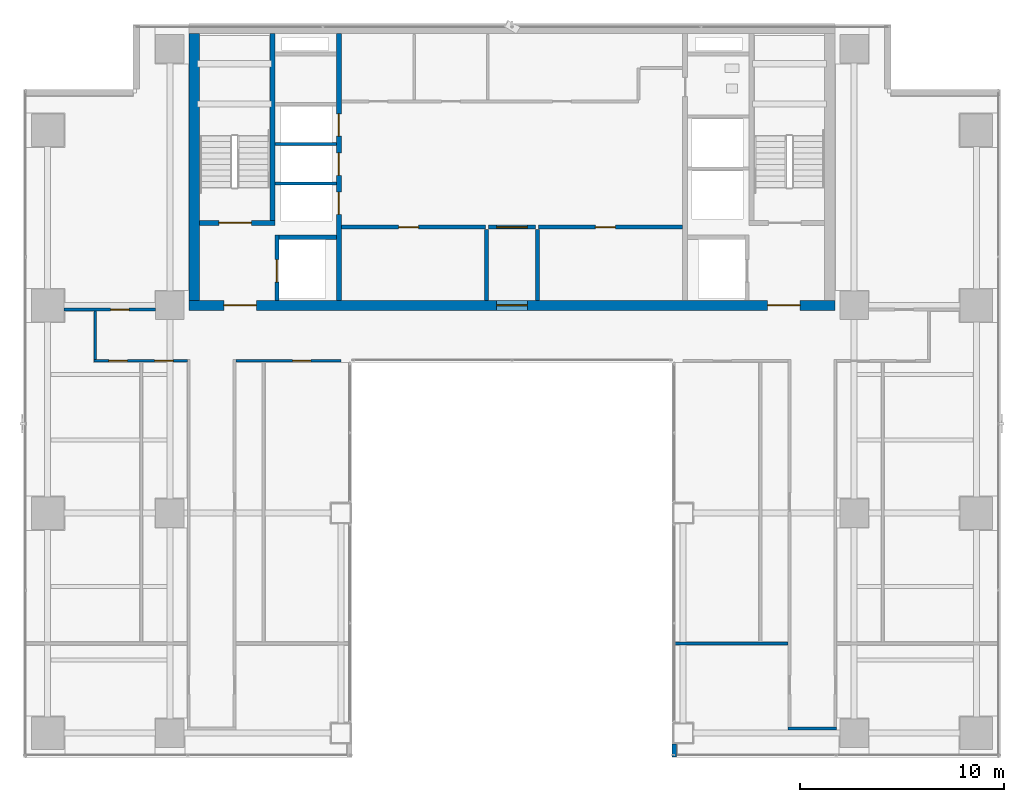
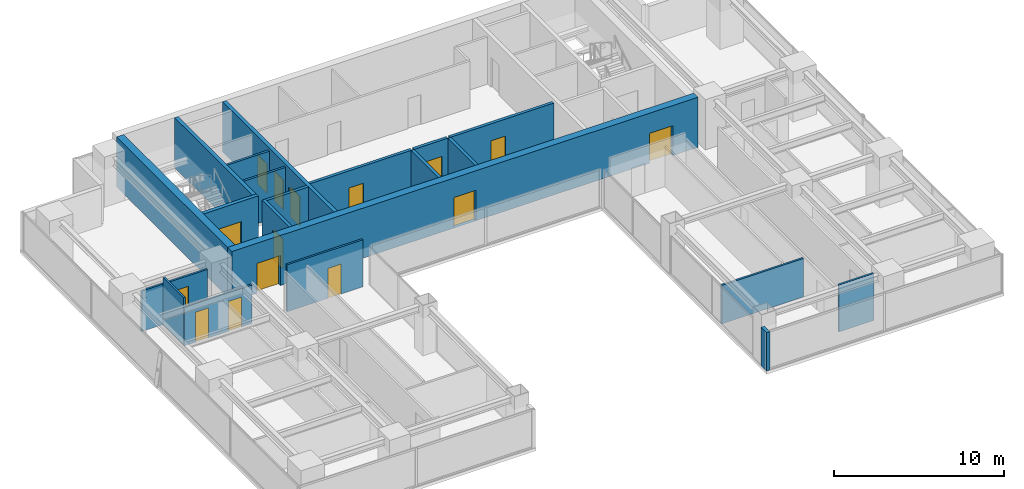
# One storey, part 24 of 29: 21 walls, 15 doors, 15 openings.
"""IFC4 building model written with IfcOpenShell, lengths in metres."""

from ifc_helpers import new_model, si_unit, direction, frame, frame_2d, origin, place, context, subcontext, project, spatial, rectangle, extrude, source, transform, mapped, material, layer, layer_set, type_object, element, fill, save


model = new_model("IFC4")

# Units and contexts
model_context = context("Model", 3, precision=1e-05, world=origin(), true_north=direction((0.0, 1.0)))
body_context = subcontext(model_context, "Body", "Model", "MODEL_VIEW")
ifc_project = project(units=[si_unit("LENGTHUNIT", "METRE"), si_unit("AREAUNIT", "SQUARE_METRE"), si_unit("VOLUMEUNIT", "CUBIC_METRE"), si_unit("PLANEANGLEUNIT", "RADIAN"), si_unit("MASSUNIT", "GRAM", prefix="KILO")], contexts=[model_context])

# Site, building, storey
site_placement = place(None, origin())
site = spatial("IfcSite", under=ifc_project, at=site_placement, CompositionType="ELEMENT")
building_placement = place(site_placement, origin())
building = spatial("IfcBuilding", under=site, at=building_placement, Name="Sumidabori Civic Tower", CompositionType="ELEMENT")
storey_placement = place(building_placement, frame((0.0, 0.0, 203.60009765625)))
storey = spatial("IfcBuildingStorey", under=building, at=storey_placement, Name="L52", CompositionType="ELEMENT", Elevation=203.60009765625)

# Wall
ifc_material_1 = material(Name="Concrete C50/60", Category="concrete")
ifc_layer_1 = layer(ifc_material_1, 0.199951171875, Name="Concrete C50/60")
ifc_layer_set_1 = layer_set([ifc_layer_1], Name="Concrete C50/60")
wall_type_1 = type_object("IfcWallType", Name="WL-SHAFT-200", PredefinedType="SHEAR", material=ifc_layer_set_1)
shared_shape_1 = source(origin(), body_context, "Body", "SweptSolid", [
    extrude(rectangle(XDim=2.824951171875, YDim=0.199951171875, at=frame_2d((1.41259765625, 0.0))), origin(), (0.0, 0.0, 1.0), 3.599853515625),
])
wall_1_placement = place(storey_placement, frame((-11.449951171875, 13.550048828125, 0.0), z_axis=(0.0, 0.0, 1.0), x_axis=(1.0, 0.0, 0.0)))
element("IfcWall", 1, at=wall_1_placement, inside=storey, type_object=wall_type_1, Name="Core Shear Wall L52 EL1-N", PredefinedType="SHEAR", context=body_context, shape_type="MappedRepresentation", body=[
    mapped(shared_shape_1, transform((0.0, 0.0, 0.0), x_axis=(1.0, 0.0, 0.0), y_axis=(0.0, 1.0, 0.0), z_axis=(0.0, 0.0, 1.0), scale=1.0)),
])

# Wall, openings, doors
ifc_layer_2 = layer(ifc_material_1, 0.5, Name="Concrete C50/60")
ifc_layer_set_2 = layer_set([ifc_layer_2], Name="Concrete C50/60")
wall_type_2 = type_object("IfcWallType", Name="WL-CORE-500", PredefinedType="SHEAR", material=ifc_layer_set_2)
shared_shape_2 = source(origin(), body_context, "Body", "SweptSolid", [
    extrude(rectangle(XDim=31.7001953125, YDim=0.5, at=frame_2d((15.85009765625, 0.0))), origin(), (0.0, 0.0, 1.0), 3.599853515625),
])
wall_2_placement = place(storey_placement, frame((-15.85009765625, 10.199951171875, 0.0), z_axis=(0.0, 0.0, 1.0), x_axis=(1.0, 0.0, 0.0)))
wall_2 = element("IfcWall", 2, at=wall_2_placement, inside=storey, type_object=wall_type_2, Name="Core Shear Wall L52 S", PredefinedType="SHEAR", context=body_context, shape_type="MappedRepresentation", body=[
    mapped(shared_shape_2, transform((0.0, 0.0, 0.0), x_axis=(1.0, 0.0, 0.0), y_axis=(0.0, 1.0, 0.0), z_axis=(0.0, 0.0, 1.0), scale=1.0)),
])
opening_1_placement = place(wall_2_placement, frame((1.699951171875, 0.0, 0.0)))
opening_1 = element("IfcOpeningElement", 3, at=opening_1_placement, cuts=wall_2, Name="Opening DR-FD4", PredefinedType="OPENING", context=body_context, shape_type="SweptSolid", body=[
    extrude(rectangle(XDim=1.60009765625, YDim=2.14990234375, at=frame_2d((0.800048828125, 1.074951171875))), frame((0.0, 0.261962890625, 0.0), z_axis=(0.0, -1.0, 0.0), x_axis=(1.0, 0.0, 0.0)), (0.0, 0.0, 1.0), 0.52392578125),
])
opening_2_placement = place(wall_2_placement, frame((28.39990234375, 0.0, 0.0)))
opening_2 = element("IfcOpeningElement", 4, at=opening_2_placement, cuts=wall_2, Name="Opening DR-FD4", PredefinedType="OPENING", context=body_context, shape_type="SweptSolid", body=[
    extrude(rectangle(XDim=1.60009765625, YDim=2.14990234375, at=frame_2d((0.800048828125, 1.074951171875))), frame((0.0, 0.261962890625, 0.0), z_axis=(0.0, -1.0, 0.0), x_axis=(1.0, 0.0, 0.0)), (0.0, 0.0, 1.0), 0.52392578125),
])
opening_3_placement = place(wall_2_placement, frame((15.10009765625, 0.0, 0.0)))
opening_3 = element("IfcOpeningElement", 5, at=opening_3_placement, cuts=wall_2, Name="Opening DR-FD3", PredefinedType="OPENING", context=body_context, shape_type="SweptSolid", body=[
    extrude(rectangle(XDim=1.5, YDim=2.199951171875, at=frame_2d((0.75, 1.10009765625))), frame((0.0, 0.261962890625, 0.0), z_axis=(0.0, -1.0, 0.0), x_axis=(1.0, 0.0, 0.0)), (0.0, 0.0, 1.0), 0.52392578125),
])
ifc_material_2 = material(Name="Steel SN490", Category="steel")
door_type_1 = type_object("IfcDoorType", Name="DR-FD4", OperationType="DOUBLE_DOOR_SINGLE_SWING", PredefinedType="DOOR", material=ifc_material_2)
shared_shape_3 = source(origin(), body_context, "Body", "SweptSolid", [
    extrude(rectangle(XDim=1.60009765625, YDim=2.14990234375, at=frame_2d((0.800048828125, 1.074951171875))), frame((0.0, 0.02490234375, 0.0), z_axis=(0.0, -1.0, 0.0), x_axis=(1.0, 0.0, 0.0)), (0.0, 0.0, 1.0), 0.050048828125),
])
door_1_placement = place(opening_1_placement, origin())
door_1 = element("IfcDoor", 6, at=door_1_placement, inside=storey, type_object=door_type_1, Name="Door DR:L52:ELOB-W", OperationType="DOUBLE_DOOR_SINGLE_SWING", OverallHeight=2.14990234375, OverallWidth=1.60009765625, PredefinedType="DOOR", context=body_context, shape_type="MappedRepresentation", body=[
    mapped(shared_shape_3, transform((0.0, 0.0, 0.0), x_axis=(1.0, 0.0, 0.0), y_axis=(0.0, 1.0, 0.0), z_axis=(0.0, 0.0, 1.0), scale=1.0)),
])
fill(opening_1, door_1)
door_2_placement = place(opening_2_placement, origin())
door_2 = element("IfcDoor", 7, at=door_2_placement, inside=storey, type_object=door_type_1, Name="Door DR:L52:ELOB-E", OperationType="DOUBLE_DOOR_SINGLE_SWING", OverallHeight=2.14990234375, OverallWidth=1.60009765625, PredefinedType="DOOR", context=body_context, shape_type="MappedRepresentation", body=[
    mapped(shared_shape_3, transform((0.0, 0.0, 0.0), x_axis=(1.0, 0.0, 0.0), y_axis=(0.0, 1.0, 0.0), z_axis=(0.0, 0.0, 1.0), scale=1.0)),
])
fill(opening_2, door_2)
door_type_2 = type_object("IfcDoorType", Name="DR-FD-DBL", OperationType="DOUBLE_DOOR_SINGLE_SWING", PredefinedType="DOOR", material=ifc_material_2)
shared_shape_4 = source(origin(), body_context, "Body", "SweptSolid", [
    extrude(rectangle(XDim=1.5, YDim=2.199951171875, at=frame_2d((0.75, 1.10009765625))), frame((0.0, 0.02490234375, 0.0), z_axis=(0.0, -1.0, 0.0), x_axis=(1.0, 0.0, 0.0)), (0.0, 0.0, 1.0), 0.050048828125),
])
door_3_placement = place(opening_3_placement, origin())
door_3 = element("IfcDoor", 8, at=door_3_placement, inside=storey, type_object=door_type_2, Name="Door DR:L52:THROAT-OUT", OperationType="DOUBLE_DOOR_SINGLE_SWING", OverallHeight=2.199951171875, OverallWidth=1.5, PredefinedType="DOOR", context=body_context, shape_type="MappedRepresentation", body=[
    mapped(shared_shape_4, transform((0.0, 0.0, 0.0), x_axis=(1.0, 0.0, 0.0), y_axis=(0.0, 1.0, 0.0), z_axis=(0.0, 0.0, 1.0), scale=1.0)),
])
fill(opening_3, door_3)

# Wall
shared_shape_5 = source(origin(), body_context, "Body", "SweptSolid", [
    extrude(rectangle(XDim=13.10009765625, YDim=0.5, at=frame_2d((6.550048828125, 0.0))), origin(), (0.0, 0.0, 1.0), 3.599853515625),
])
wall_3_placement = place(storey_placement, frame((-15.60009765625, 10.449951171875, 0.0), z_axis=(0.0, 0.0, 1.0), x_axis=(0.0, 1.0, 0.0)))
element("IfcWall", 9, at=wall_3_placement, inside=storey, type_object=wall_type_2, Name="Core Shear Wall L52 W", PredefinedType="SHEAR", context=body_context, shape_type="MappedRepresentation", body=[
    mapped(shared_shape_5, transform((0.0, 0.0, 0.0), x_axis=(1.0, 0.0, 0.0), y_axis=(0.0, 1.0, 0.0), z_axis=(0.0, 0.0, 1.0), scale=1.0)),
])

# Wall, openings, doors
ifc_layer_3 = layer(ifc_material_1, 0.25, Name="Concrete C50/60")
ifc_layer_set_3 = layer_set([ifc_layer_3], Name="Concrete C50/60")
wall_type_3 = type_object("IfcWallType", Name="WL-SHAFT-250", PredefinedType="SHEAR", material=ifc_layer_set_3)
shared_shape_6 = source(origin(), body_context, "Body", "SweptSolid", [
    extrude(rectangle(XDim=13.10009765625, YDim=0.25, at=frame_2d((6.550048828125, 0.0))), origin(), (0.0, 0.0, 1.0), 3.599853515625),
])
wall_4_placement = place(storey_placement, frame((-8.5, 10.449951171875, 0.0), z_axis=(0.0, 0.0, 1.0), x_axis=(0.0, 1.0, 0.0)))
wall_4 = element("IfcWall", 10, at=wall_4_placement, inside=storey, type_object=wall_type_3, Name="Core Shear Wall L52 WEB-W", PredefinedType="SHEAR", context=body_context, shape_type="MappedRepresentation", body=[
    mapped(shared_shape_6, transform((0.0, 0.0, 0.0), x_axis=(1.0, 0.0, 0.0), y_axis=(0.0, 1.0, 0.0), z_axis=(0.0, 0.0, 1.0), scale=1.0)),
])
opening_4_placement = place(wall_4_placement, frame((4.219970703125, 0.0, 0.0)))
opening_4 = element("IfcOpeningElement", 11, at=opening_4_placement, cuts=wall_4, Name="Opening LD-1", PredefinedType="OPENING", context=body_context, shape_type="SweptSolid", body=[
    extrude(rectangle(XDim=1.10009765625, YDim=2.14990234375, at=frame_2d((0.550048828125, 1.074951171875))), frame((0.0, 0.136962890625, 0.0), z_axis=(0.0, -1.0, 0.0), x_axis=(1.0, 0.0, 0.0)), (0.0, 0.0, 1.0), 0.27392578125),
])
opening_5_placement = place(wall_4_placement, frame((6.139892578125, 0.0, 0.0)))
opening_5 = element("IfcOpeningElement", 12, at=opening_5_placement, cuts=wall_4, Name="Opening LD-1", PredefinedType="OPENING", context=body_context, shape_type="SweptSolid", body=[
    extrude(rectangle(XDim=1.10009765625, YDim=2.14990234375, at=frame_2d((0.550048828125, 1.074951171875))), frame((0.0, 0.136962890625, 0.0), z_axis=(0.0, -1.0, 0.0), x_axis=(1.0, 0.0, 0.0)), (0.0, 0.0, 1.0), 0.27392578125),
])
opening_6_placement = place(wall_4_placement, frame((8.06005859375, 0.0, 0.0)))
opening_6 = element("IfcOpeningElement", 13, at=opening_6_placement, cuts=wall_4, Name="Opening LD-1", PredefinedType="OPENING", context=body_context, shape_type="SweptSolid", body=[
    extrude(rectangle(XDim=1.10009765625, YDim=2.14990234375, at=frame_2d((0.550048828125, 1.074951171875))), frame((0.0, 0.136962890625, 0.0), z_axis=(0.0, -1.0, 0.0), x_axis=(1.0, 0.0, 0.0)), (0.0, 0.0, 1.0), 0.27392578125),
])
ifc_material_3 = material(Name="Stainless Steel Hairline Finish", Category="steel")
door_type_3 = type_object("IfcDoorType", Name="DR-LD1", OperationType="DOUBLE_DOOR_SLIDING", PredefinedType="DOOR", material=ifc_material_3)
shared_shape_7 = source(origin(), body_context, "Body", "SweptSolid", [
    extrude(rectangle(XDim=1.10009765625, YDim=2.14990234375, at=frame_2d((0.550048828125, 1.074951171875))), frame((0.0, 0.02490234375, 0.0), z_axis=(0.0, -1.0, 0.0), x_axis=(1.0, 0.0, 0.0)), (0.0, 0.0, 1.0), 0.050048828125),
])
door_4_placement = place(opening_4_placement, origin())
door_4 = element("IfcDoor", 14, at=door_4_placement, inside=storey, type_object=door_type_3, Name="Door DR:L52:LD-PLH1", OperationType="DOUBLE_DOOR_SLIDING", OverallHeight=2.14990234375, OverallWidth=1.10009765625, PredefinedType="DOOR", context=body_context, shape_type="MappedRepresentation", body=[
    mapped(shared_shape_7, transform((0.0, 0.0, 0.0), x_axis=(1.0, 0.0, 0.0), y_axis=(0.0, 1.0, 0.0), z_axis=(0.0, 0.0, 1.0), scale=1.0)),
])
fill(opening_4, door_4)
door_5_placement = place(opening_5_placement, origin())
door_5 = element("IfcDoor", 15, at=door_5_placement, inside=storey, type_object=door_type_3, Name="Door DR:L52:LD-PLH2", OperationType="DOUBLE_DOOR_SLIDING", OverallHeight=2.14990234375, OverallWidth=1.10009765625, PredefinedType="DOOR", context=body_context, shape_type="MappedRepresentation", body=[
    mapped(shared_shape_7, transform((0.0, 0.0, 0.0), x_axis=(1.0, 0.0, 0.0), y_axis=(0.0, 1.0, 0.0), z_axis=(0.0, 0.0, 1.0), scale=1.0)),
])
fill(opening_5, door_5)
door_6_placement = place(opening_6_placement, origin())
door_6 = element("IfcDoor", 16, at=door_6_placement, inside=storey, type_object=door_type_3, Name="Door DR:L52:LD-PLH3", OperationType="DOUBLE_DOOR_SLIDING", OverallHeight=2.14990234375, OverallWidth=1.10009765625, PredefinedType="DOOR", context=body_context, shape_type="MappedRepresentation", body=[
    mapped(shared_shape_7, transform((0.0, 0.0, 0.0), x_axis=(1.0, 0.0, 0.0), y_axis=(0.0, 1.0, 0.0), z_axis=(0.0, 0.0, 1.0), scale=1.0)),
])
fill(opening_6, door_6)

# Wall, opening, door
shared_shape_8 = source(origin(), body_context, "Body", "SweptSolid", [
    extrude(rectangle(XDim=3.705078125, YDim=0.25, at=frame_2d((1.8525390625, 0.0))), origin(), (0.0, 0.0, 1.0), 3.599853515625),
])
wall_5_placement = place(storey_placement, frame((-15.35009765625, 14.25, 0.0), z_axis=(0.0, 0.0, 1.0), x_axis=(1.0, 0.0, 0.0)))
wall_5 = element("IfcWall", 17, at=wall_5_placement, inside=storey, type_object=wall_type_3, Name="Core Shear Wall L52 ST1-S", PredefinedType="SHEAR", context=body_context, shape_type="MappedRepresentation", body=[
    mapped(shared_shape_8, transform((0.0, 0.0, 0.0), x_axis=(1.0, 0.0, 0.0), y_axis=(0.0, 1.0, 0.0), z_axis=(0.0, 0.0, 1.0), scale=1.0)),
])
opening_7_placement = place(wall_5_placement, frame((0.949951171875, 0.0, 0.0)))
opening_7 = element("IfcOpeningElement", 18, at=opening_7_placement, cuts=wall_5, Name="Opening DR-FD4", PredefinedType="OPENING", context=body_context, shape_type="SweptSolid", body=[
    extrude(rectangle(XDim=1.60009765625, YDim=2.14990234375, at=frame_2d((0.800048828125, 1.074951171875))), frame((0.0, 0.136962890625, 0.0), z_axis=(0.0, -1.0, 0.0), x_axis=(1.0, 0.0, 0.0)), (0.0, 0.0, 1.0), 0.27392578125),
])
door_7_placement = place(opening_7_placement, origin())
door_7 = element("IfcDoor", 19, at=door_7_placement, inside=storey, type_object=door_type_1, Name="Door DR:L52:ST1", OperationType="DOUBLE_DOOR_SINGLE_SWING", OverallHeight=2.14990234375, OverallWidth=1.60009765625, PredefinedType="DOOR", context=body_context, shape_type="MappedRepresentation", body=[
    mapped(shared_shape_3, transform((0.0, 0.0, 0.0), x_axis=(1.0, 0.0, 0.0), y_axis=(0.0, 1.0, 0.0), z_axis=(0.0, 0.0, 1.0), scale=1.0)),
])
fill(opening_7, door_7)

# Wall
shared_shape_9 = source(origin(), body_context, "Body", "SweptSolid", [
    extrude(rectangle(XDim=9.175048828125, YDim=0.25, at=frame_2d((4.58740234375, 0.0))), origin(), (0.0, 0.0, 1.0), 3.599853515625),
])
wall_6_placement = place(storey_placement, frame((-11.77001953125, 14.375, 0.0), z_axis=(0.0, 0.0, 1.0), x_axis=(0.0, 1.0, 0.0)))
element("IfcWall", 20, at=wall_6_placement, inside=storey, type_object=wall_type_3, Name="Core Shear Wall L52 ST1-E", PredefinedType="SHEAR", context=body_context, shape_type="MappedRepresentation", body=[
    mapped(shared_shape_9, transform((0.0, 0.0, 0.0), x_axis=(1.0, 0.0, 0.0), y_axis=(0.0, 1.0, 0.0), z_axis=(0.0, 0.0, 1.0), scale=1.0)),
])

# Wall, opening, door
shared_shape_10 = source(origin(), body_context, "Body", "SweptSolid", [
    extrude(rectangle(XDim=3.199951171875, YDim=0.199951171875, at=frame_2d((1.60009765625, 0.0))), origin(), (0.0, 0.0, 1.0), 3.599853515625),
])
wall_7_placement = place(storey_placement, frame((-11.550048828125, 10.449951171875, 0.0), z_axis=(0.0, 0.0, 1.0), x_axis=(0.0, 1.0, 0.0)))
wall_7 = element("IfcWall", 21, at=wall_7_placement, inside=storey, type_object=wall_type_1, Name="Core Shear Wall L52 EL1-W", PredefinedType="SHEAR", context=body_context, shape_type="MappedRepresentation", body=[
    mapped(shared_shape_10, transform((0.0, 0.0, 0.0), x_axis=(1.0, 0.0, 0.0), y_axis=(0.0, 1.0, 0.0), z_axis=(0.0, 0.0, 1.0), scale=1.0)),
])
opening_8_placement = place(wall_7_placement, frame((0.89990234375, 0.0, 0.0)))
opening_8 = element("IfcOpeningElement", 22, at=opening_8_placement, cuts=wall_7, Name="Opening LD-2", PredefinedType="OPENING", context=body_context, shape_type="SweptSolid", body=[
    extrude(rectangle(XDim=1.10009765625, YDim=2.14990234375, at=frame_2d((0.550048828125, 1.074951171875))), frame((0.0, 0.11181640625, 0.0), z_axis=(0.0, -1.0, 0.0), x_axis=(1.0, 0.0, 0.0)), (0.0, 0.0, 1.0), 0.223876953125),
])
door_type_4 = type_object("IfcDoorType", Name="DR-LD2", OperationType="DOUBLE_DOOR_SLIDING", PredefinedType="DOOR", material=ifc_material_3)
door_8_placement = place(opening_8_placement, origin())
door_8 = element("IfcDoor", 23, at=door_8_placement, inside=storey, type_object=door_type_4, Name="Door DR:L52:LD-EL1", OperationType="DOUBLE_DOOR_SLIDING", OverallHeight=2.14990234375, OverallWidth=1.10009765625, PredefinedType="DOOR", context=body_context, shape_type="MappedRepresentation", body=[
    mapped(shared_shape_7, transform((0.0, 0.0, 0.0), x_axis=(1.0, 0.0, 0.0), y_axis=(0.0, 1.0, 0.0), z_axis=(0.0, 0.0, 1.0), scale=1.0)),
])
fill(opening_8, door_8)

# Walls
ifc_material_4 = material(Name="Precast concrete C40/50", Category="concrete")
ifc_layer_4 = layer(ifc_material_4, 0.300048828125, Name="Precast concrete C40/50")
ifc_layer_set_4 = layer_set([ifc_layer_4], Name="Precast concrete C40/50")
wall_type_4 = type_object("IfcWallType", Name="WL-EXT-POD300", PredefinedType="STANDARD", material=ifc_layer_set_4)
shared_shape_11 = source(origin(), body_context, "Body", "SweptSolid", [
    extrude(rectangle(XDim=0.639892578125, YDim=0.239990234375, at=frame_2d((0.31982421875, 0.0))), origin(), (0.0, 0.0, 1.0), 2.760009765625),
])
wall_8_placement = place(storey_placement, frame((7.969970703125, -11.330078125, 0.0), z_axis=(0.0, 0.0, 1.0), x_axis=(0.0, -1.0, 0.0)))
element("IfcWall", 24, at=wall_8_placement, inside=storey, type_object=wall_type_4, Name="Perimeter Pier Spandrel L52-08", PredefinedType="STANDARD", context=body_context, shape_type="MappedRepresentation", body=[
    mapped(shared_shape_11, transform((0.0, 0.0, 0.0), x_axis=(1.0, 0.0, 0.0), y_axis=(0.0, 1.0, 0.0), z_axis=(0.0, 0.0, 1.0), scale=1.0)),
])
ifc_material_5 = material(Name="Gypsum Plasterboard Acoustic Partition")
ifc_layer_5 = layer(ifc_material_5, 0.14990234375, Name="Gypsum Plasterboard Acoustic Partition")
ifc_layer_set_5 = layer_set([ifc_layer_5], Name="Gypsum Plasterboard Acoustic Partition")
wall_type_5 = type_object("IfcWallType", Name="WL-PART-150", PredefinedType="PARTITIONING", material=ifc_layer_set_5)
shared_shape_12 = source(origin(), body_context, "Body", "SweptSolid", [
    extrude(rectangle(XDim=3.010009765625, YDim=0.14990234375, at=frame_2d((1.5048828125, 0.0))), origin(), (0.0, 0.0, 1.0), 3.3798828125),
])
for number, where, z_axis, x_axis, name in (
    (25, (-11.639892578125, 16.199951171875, 0.0), (0.0, 0.0, 1.0), (1.0, 0.0, 0.0), "Interior Partition WL:L52:DIV-PLH1"),
    (26, (-11.639892578125, 18.1201171875, 0.0), (0.0, 0.0, 1.0), (1.0, 0.0, 0.0), "Interior Partition WL:L52:DIV-PLH2"),
):
    element("IfcWall", number, at=place(storey_placement, frame(where, z_axis=z_axis, x_axis=x_axis)), inside=storey, type_object=wall_type_5, Name=name, PredefinedType="PARTITIONING", context=body_context, shape_type="MappedRepresentation", body=[
        mapped(shared_shape_12, transform((0.0, 0.0, 0.0), x_axis=(1.0, 0.0, 0.0), y_axis=(0.0, 1.0, 0.0), z_axis=(0.0, 0.0, 1.0), scale=1.0)),
    ])

# Wall, opening, door
ifc_material_6 = material(Name="Gypsum Plasterboard Fire Partition")
ifc_layer_6 = layer(ifc_material_6, 0.199951171875, Name="Gypsum Plasterboard Fire Partition")
ifc_layer_set_6 = layer_set([ifc_layer_6], Name="Gypsum Plasterboard Fire Partition")
wall_type_6 = type_object("IfcWallType", Name="WL-PART-FIRE", PredefinedType="PARTITIONING", material=ifc_layer_set_6)
shared_shape_13 = source(origin(), body_context, "Body", "SweptSolid", [
    extrude(rectangle(XDim=7.070068359375, YDim=0.199951171875, at=frame_2d((3.53515625, 0.0))), origin(), (0.0, 0.0, 1.0), 3.3798828125),
])
wall_9_placement = place(storey_placement, frame((-8.3701171875, 14.050048828125, 0.0), z_axis=(0.0, 0.0, 1.0), x_axis=(1.0, 0.0, 0.0)))
wall_9 = element("IfcWall", 27, at=wall_9_placement, inside=storey, type_object=wall_type_6, Name="Interior Partition WL:L52:CBAND-SW", PredefinedType="PARTITIONING", context=body_context, shape_type="MappedRepresentation", body=[
    mapped(shared_shape_13, transform((0.0, 0.0, 0.0), x_axis=(1.0, 0.0, 0.0), y_axis=(0.0, 1.0, 0.0), z_axis=(0.0, 0.0, 1.0), scale=1.0)),
])
opening_9_placement = place(wall_9_placement, frame((2.800048828125, 0.0, 0.0)))
opening_9 = element("IfcOpeningElement", 28, at=opening_9_placement, cuts=wall_9, Name="Opening DR-3", PredefinedType="OPENING", context=body_context, shape_type="SweptSolid", body=[
    extrude(rectangle(XDim=0.97998046875, YDim=2.14990234375, at=frame_2d((0.489990234375, 1.074951171875))), frame((0.0, 0.11181640625, 0.0), z_axis=(0.0, -1.0, 0.0), x_axis=(1.0, 0.0, 0.0)), (0.0, 0.0, 1.0), 0.223876953125),
])
ifc_material_7 = material(Name="Japanese Hinoki Timber", Category="wood")
door_type_5 = type_object("IfcDoorType", Name="DR-INT-980", OperationType="NOTDEFINED", PredefinedType="DOOR", material=ifc_material_7)
shared_shape_14 = source(origin(), body_context, "Body", "SweptSolid", [
    extrude(rectangle(XDim=0.97998046875, YDim=2.14990234375, at=frame_2d((0.489990234375, 1.074951171875))), frame((0.0, 0.02490234375, 0.0), z_axis=(0.0, -1.0, 0.0), x_axis=(1.0, 0.0, 0.0)), (0.0, 0.0, 1.0), 0.050048828125),
])
door_9_placement = place(opening_9_placement, origin())
door_9 = element("IfcDoor", 29, at=door_9_placement, inside=storey, type_object=door_type_5, Name="Door DR:L52:REC-B1", OperationType="SINGLE_SWING_LEFT", OverallHeight=2.14990234375, OverallWidth=0.97998046875, PredefinedType="DOOR", context=body_context, shape_type="MappedRepresentation", body=[
    mapped(shared_shape_14, transform((0.0, 0.0, 0.0), x_axis=(1.0, 0.0, 0.0), y_axis=(0.0, 1.0, 0.0), z_axis=(0.0, 0.0, 1.0), scale=1.0)),
])
fill(opening_9, door_9)

wall_10_placement = place(storey_placement, frame((1.300048828125, 14.050048828125, 0.0), z_axis=(0.0, 0.0, 1.0), x_axis=(1.0, 0.0, 0.0)))
wall_10 = element("IfcWall", 30, at=wall_10_placement, inside=storey, type_object=wall_type_6, Name="Interior Partition WL:L52:CBAND-SE", PredefinedType="PARTITIONING", context=body_context, shape_type="MappedRepresentation", body=[
    mapped(shared_shape_13, transform((0.0, 0.0, 0.0), x_axis=(1.0, 0.0, 0.0), y_axis=(0.0, 1.0, 0.0), z_axis=(0.0, 0.0, 1.0), scale=1.0)),
])
opening_10_placement = place(wall_10_placement, frame((2.800048828125, 0.0, 0.0)))
opening_10 = element("IfcOpeningElement", 31, at=opening_10_placement, cuts=wall_10, Name="Opening DR-3", PredefinedType="OPENING", context=body_context, shape_type="SweptSolid", body=[
    extrude(rectangle(XDim=0.97998046875, YDim=2.14990234375, at=frame_2d((0.489990234375, 1.074951171875))), frame((0.0, 0.11181640625, 0.0), z_axis=(0.0, -1.0, 0.0), x_axis=(1.0, 0.0, 0.0)), (0.0, 0.0, 1.0), 0.223876953125),
])
door_10_placement = place(opening_10_placement, origin())
door_10 = element("IfcDoor", 32, at=door_10_placement, inside=storey, type_object=door_type_5, Name="Door DR:L52:REC-B2", OperationType="SINGLE_SWING_RIGHT", OverallHeight=2.14990234375, OverallWidth=0.97998046875, PredefinedType="DOOR", context=body_context, shape_type="MappedRepresentation", body=[
    mapped(shared_shape_14, transform((0.0, 0.0, 0.0), x_axis=(1.0, 0.0, 0.0), y_axis=(0.0, 1.0, 0.0), z_axis=(0.0, 0.0, 1.0), scale=1.0)),
])
fill(opening_10, door_10)

shared_shape_15 = source(origin(), body_context, "Body", "SweptSolid", [
    extrude(rectangle(XDim=2.2998046875, YDim=0.199951171875, at=frame_2d((1.14990234375, 0.0))), origin(), (0.0, 0.0, 1.0), 3.3798828125),
])
wall_11_placement = place(storey_placement, frame((-1.14990234375, 14.050048828125, 0.0), z_axis=(0.0, 0.0, 1.0), x_axis=(1.0, 0.0, 0.0)))
wall_11 = element("IfcWall", 33, at=wall_11_placement, inside=storey, type_object=wall_type_6, Name="Interior Partition WL:L52:THROAT-N", PredefinedType="PARTITIONING", context=body_context, shape_type="MappedRepresentation", body=[
    mapped(shared_shape_15, transform((0.0, 0.0, 0.0), x_axis=(1.0, 0.0, 0.0), y_axis=(0.0, 1.0, 0.0), z_axis=(0.0, 0.0, 1.0), scale=1.0)),
])
opening_11_placement = place(wall_11_placement, frame((0.39990234375, 0.0, 0.0)))
opening_11 = element("IfcOpeningElement", 34, at=opening_11_placement, cuts=wall_11, Name="Opening DR-FD3", PredefinedType="OPENING", context=body_context, shape_type="SweptSolid", body=[
    extrude(rectangle(XDim=1.5, YDim=2.199951171875, at=frame_2d((0.75, 1.10009765625))), frame((0.0, 0.11181640625, 0.0), z_axis=(0.0, -1.0, 0.0), x_axis=(1.0, 0.0, 0.0)), (0.0, 0.0, 1.0), 0.223876953125),
])
door_11_placement = place(opening_11_placement, origin())
door_11 = element("IfcDoor", 35, at=door_11_placement, inside=storey, type_object=door_type_2, Name="Door DR:L52:THROAT-IN", OperationType="DOUBLE_DOOR_SINGLE_SWING", OverallHeight=2.199951171875, OverallWidth=1.5, PredefinedType="DOOR", context=body_context, shape_type="MappedRepresentation", body=[
    mapped(shared_shape_4, transform((0.0, 0.0, 0.0), x_axis=(1.0, 0.0, 0.0), y_axis=(0.0, 1.0, 0.0), z_axis=(0.0, 0.0, 1.0), scale=1.0)),
])
fill(opening_11, door_11)

# Walls
ifc_layer_7 = layer(ifc_material_5, 0.135009765625, Name="Gypsum Plasterboard Acoustic Partition")
ifc_layer_set_7 = layer_set([ifc_layer_7], Name="Gypsum Plasterboard Acoustic Partition")
wall_type_7 = type_object("IfcWallType", Name="WL-PART-135", PredefinedType="PARTITIONING", material=ifc_layer_set_7)
shared_shape_16 = source(origin(), body_context, "Body", "SweptSolid", [
    extrude(rectangle(XDim=2.3701171875, YDim=0.135009765625, at=frame_2d((1.18505859375, 0.0))), origin(), (0.0, 0.0, 1.0), 3.3798828125),
])
wall_12_placement = place(storey_placement, frame((13.56494140625, -10.5673828125, 0.0), z_axis=(0.0, 0.0, 1.0), x_axis=(1.0, 0.0, 0.0)))
element("IfcWall", 36, at=wall_12_placement, inside=storey, type_object=wall_type_7, Name="Interior Partition WL:L52:CORR-CAP-E", PredefinedType="PARTITIONING", context=body_context, shape_type="MappedRepresentation", body=[
    mapped(shared_shape_16, transform((0.0, 0.0, 0.0), x_axis=(1.0, 0.0, 0.0), y_axis=(0.0, 1.0, 0.0), z_axis=(0.0, 0.0, 1.0), scale=1.0)),
])
shared_shape_17 = source(origin(), body_context, "Body", "SweptSolid", [
    extrude(rectangle(XDim=3.489990234375, YDim=0.199951171875, at=frame_2d((1.7451171875, 0.0))), origin(), (0.0, 0.0, 1.0), 3.3798828125),
])
for number, where, z_axis, x_axis, name in (
    (37, (-1.25, 10.449951171875, 0.0), (0.0, 0.0, 1.0), (0.0, 1.0, 0.0), "Interior Partition WL:L52:THROAT-W"),
    (38, (1.25, 10.449951171875, 0.0), (0.0, 0.0, 1.0), (0.0, 1.0, 0.0), "Interior Partition WL:L52:THROAT-E"),
):
    element("IfcWall", number, at=place(storey_placement, frame(where, z_axis=z_axis, x_axis=x_axis)), inside=storey, type_object=wall_type_6, Name=name, PredefinedType="PARTITIONING", context=body_context, shape_type="MappedRepresentation", body=[
        mapped(shared_shape_17, transform((0.0, 0.0, 0.0), x_axis=(1.0, 0.0, 0.0), y_axis=(0.0, 1.0, 0.0), z_axis=(0.0, 0.0, 1.0), scale=1.0)),
    ])

# Wall, openings, doors
shared_shape_18 = source(origin(), body_context, "Body", "SweptSolid", [
    extrude(rectangle(XDim=4.599853515625, YDim=0.135009765625, at=frame_2d((2.2998046875, 0.0))), origin(), (0.0, 0.0, 1.0), 2.764892578125),
])
wall_13_placement = place(storey_placement, frame((-20.534912109375, 7.482421875, 0.0), z_axis=(0.0, 0.0, 1.0), x_axis=(1.0, 0.0, 0.0)))
wall_13 = element("IfcWall", 39, at=wall_13_placement, inside=storey, type_object=wall_type_7, Name="Interior Partition WL:L52:CORR-SWO", PredefinedType="PARTITIONING", context=body_context, shape_type="MappedRepresentation", body=[
    mapped(shared_shape_18, transform((0.0, 0.0, 0.0), x_axis=(1.0, 0.0, 0.0), y_axis=(0.0, 1.0, 0.0), z_axis=(0.0, 0.0, 1.0), scale=1.0)),
])
opening_12_placement = place(wall_13_placement, frame((0.743896484375, 0.0, 0.0)))
opening_12 = element("IfcOpeningElement", 40, at=opening_12_placement, cuts=wall_13, Name="Opening DR-1", PredefinedType="OPENING", context=body_context, shape_type="SweptSolid", body=[
    extrude(rectangle(XDim=0.89990234375, YDim=2.14990234375, at=frame_2d((0.449951171875, 1.074951171875))), frame((0.0, 0.07958984375, 0.0), z_axis=(0.0, -1.0, 0.0), x_axis=(1.0, 0.0, 0.0)), (0.0, 0.0, 1.0), 0.158935546875),
])
opening_13_placement = place(wall_13_placement, frame((2.9912109375, 0.0, 0.0)))
opening_13 = element("IfcOpeningElement", 41, at=opening_13_placement, cuts=wall_13, Name="Opening DR-1", PredefinedType="OPENING", context=body_context, shape_type="SweptSolid", body=[
    extrude(rectangle(XDim=0.89990234375, YDim=2.14990234375, at=frame_2d((0.449951171875, 1.074951171875))), frame((0.0, 0.07958984375, 0.0), z_axis=(0.0, -1.0, 0.0), x_axis=(1.0, 0.0, 0.0)), (0.0, 0.0, 1.0), 0.158935546875),
])
door_type_6 = type_object("IfcDoorType", Name="DR-INT-900", OperationType="NOTDEFINED", PredefinedType="DOOR", material=ifc_material_7)
shared_shape_19 = source(origin(), body_context, "Body", "SweptSolid", [
    extrude(rectangle(XDim=0.89990234375, YDim=2.14990234375, at=frame_2d((0.449951171875, 1.074951171875))), frame((0.0, 0.02490234375, 0.0), z_axis=(0.0, -1.0, 0.0), x_axis=(1.0, 0.0, 0.0)), (0.0, 0.0, 1.0), 0.050048828125),
])
door_12_placement = place(opening_12_placement, origin())
door_12 = element("IfcDoor", 42, at=door_12_placement, inside=storey, type_object=door_type_6, Name="Door DR:L52:D03", OperationType="SINGLE_SWING_LEFT", OverallHeight=2.14990234375, OverallWidth=0.89990234375, PredefinedType="DOOR", context=body_context, shape_type="MappedRepresentation", body=[
    mapped(shared_shape_19, transform((0.0, 0.0, 0.0), x_axis=(1.0, 0.0, 0.0), y_axis=(0.0, 1.0, 0.0), z_axis=(0.0, 0.0, 1.0), scale=1.0)),
])
fill(opening_12, door_12)
door_13_placement = place(opening_13_placement, origin())
door_13 = element("IfcDoor", 43, at=door_13_placement, inside=storey, type_object=door_type_6, Name="Door DR:L52:D05", OperationType="SINGLE_SWING_LEFT", OverallHeight=2.14990234375, OverallWidth=0.89990234375, PredefinedType="DOOR", context=body_context, shape_type="MappedRepresentation", body=[
    mapped(shared_shape_19, transform((0.0, 0.0, 0.0), x_axis=(1.0, 0.0, 0.0), y_axis=(0.0, 1.0, 0.0), z_axis=(0.0, 0.0, 1.0), scale=1.0)),
])
fill(opening_13, door_13)

# Wall, opening, door
shared_shape_20 = source(origin(), body_context, "Body", "SweptSolid", [
    extrude(rectangle(XDim=5.1650390625, YDim=0.135009765625, at=frame_2d((2.58251953125, 0.0))), origin(), (0.0, 0.0, 1.0), 3.3798828125),
])
wall_14_placement = place(storey_placement, frame((-13.56494140625, 7.482421875, 0.0), z_axis=(0.0, 0.0, 1.0), x_axis=(1.0, 0.0, 0.0)))
wall_14 = element("IfcWall", 44, at=wall_14_placement, inside=storey, type_object=wall_type_7, Name="Interior Partition WL:L52:CORR-SWI", PredefinedType="PARTITIONING", context=body_context, shape_type="MappedRepresentation", body=[
    mapped(shared_shape_20, transform((0.0, 0.0, 0.0), x_axis=(1.0, 0.0, 0.0), y_axis=(0.0, 1.0, 0.0), z_axis=(0.0, 0.0, 1.0), scale=1.0)),
])
opening_14_placement = place(wall_14_placement, frame((2.788818359375, 0.0, 0.0)))
opening_14 = element("IfcOpeningElement", 45, at=opening_14_placement, cuts=wall_14, Name="Opening DR-1", PredefinedType="OPENING", context=body_context, shape_type="SweptSolid", body=[
    extrude(rectangle(XDim=0.89990234375, YDim=2.14990234375, at=frame_2d((0.449951171875, 1.074951171875))), frame((0.0, 0.07958984375, 0.0), z_axis=(0.0, -1.0, 0.0), x_axis=(1.0, 0.0, 0.0)), (0.0, 0.0, 1.0), 0.158935546875),
])
door_14_placement = place(opening_14_placement, origin())
door_14 = element("IfcDoor", 46, at=door_14_placement, inside=storey, type_object=door_type_6, Name="Door DR:L52:D06", OperationType="SINGLE_SWING_RIGHT", OverallHeight=2.14990234375, OverallWidth=0.89990234375, PredefinedType="DOOR", context=body_context, shape_type="MappedRepresentation", body=[
    mapped(shared_shape_19, transform((0.0, 0.0, 0.0), x_axis=(1.0, 0.0, 0.0), y_axis=(0.0, 1.0, 0.0), z_axis=(0.0, 0.0, 1.0), scale=1.0)),
])
fill(opening_14, door_14)

# Walls
shared_shape_21 = source(origin(), body_context, "Body", "SweptSolid", [
    extrude(rectangle(XDim=2.37255859375, YDim=0.135009765625, at=frame_2d((1.186279296875, 0.0))), origin(), (0.0, 0.0, 1.0), 3.3798828125),
])
wall_15_placement = place(storey_placement, frame((-20.467529296875, 7.554931640625, 0.0), z_axis=(0.0, 0.0, 1.0), x_axis=(0.0, 1.0, 0.0)))
element("IfcWall", 47, at=wall_15_placement, inside=storey, type_object=wall_type_7, Name="Interior Partition WL:L52:CORR-VNW", PredefinedType="PARTITIONING", context=body_context, shape_type="MappedRepresentation", body=[
    mapped(shared_shape_21, transform((0.0, 0.0, 0.0), x_axis=(1.0, 0.0, 0.0), y_axis=(0.0, 1.0, 0.0), z_axis=(0.0, 0.0, 1.0), scale=1.0)),
])
shared_shape_22 = source(origin(), body_context, "Body", "SweptSolid", [
    extrude(rectangle(XDim=5.56005859375, YDim=0.135009765625, at=frame_2d((2.780029296875, 0.0))), origin(), (0.0, 0.0, 1.0), 2.764892578125),
])
wall_16_placement = place(storey_placement, frame((8.0, -6.39990234375, 0.0), z_axis=(0.0, 0.0, 1.0), x_axis=(1.0, 0.0, 0.0)))
element("IfcWall", 48, at=wall_16_placement, inside=storey, type_object=wall_type_7, Name="Interior Partition WL:L52:BAND-YE-1", PredefinedType="PARTITIONING", context=body_context, shape_type="MappedRepresentation", body=[
    mapped(shared_shape_22, transform((0.0, 0.0, 0.0), x_axis=(1.0, 0.0, 0.0), y_axis=(0.0, 1.0, 0.0), z_axis=(0.0, 0.0, 1.0), scale=1.0)),
])

# Wall, opening, door
shared_shape_23 = source(origin(), body_context, "Body", "SweptSolid", [
    extrude(rectangle(XDim=4.47998046875, YDim=0.135009765625, at=frame_2d((2.239990234375, 0.0))), origin(), (0.0, 0.0, 1.0), 2.914794921875),
])
wall_17_placement = place(storey_placement, frame((-21.989990234375, 10.0, 0.0), z_axis=(0.0, 0.0, 1.0), x_axis=(1.0, 0.0, 0.0)))
wall_17 = element("IfcWall", 49, at=wall_17_placement, inside=storey, type_object=wall_type_7, Name="Interior Partition WL:L52:FLK-NW", PredefinedType="PARTITIONING", context=body_context, shape_type="MappedRepresentation", body=[
    mapped(shared_shape_23, transform((0.0, 0.0, 0.0), x_axis=(1.0, 0.0, 0.0), y_axis=(0.0, 1.0, 0.0), z_axis=(0.0, 0.0, 1.0), scale=1.0)),
])
opening_15_placement = place(wall_17_placement, frame((2.284912109375, 0.0, 0.0)))
opening_15 = element("IfcOpeningElement", 50, at=opening_15_placement, cuts=wall_17, Name="Opening DR-1", PredefinedType="OPENING", context=body_context, shape_type="SweptSolid", body=[
    extrude(rectangle(XDim=0.89990234375, YDim=2.14990234375, at=frame_2d((0.449951171875, 1.074951171875))), frame((0.0, 0.07958984375, 0.0), z_axis=(0.0, -1.0, 0.0), x_axis=(1.0, 0.0, 0.0)), (0.0, 0.0, 1.0), 0.158935546875),
])
door_15_placement = place(opening_15_placement, origin())
door_15 = element("IfcDoor", 51, at=door_15_placement, inside=storey, type_object=door_type_6, Name="Door DR:L52:FLK-NW", OperationType="SINGLE_SWING_LEFT", OverallHeight=2.14990234375, OverallWidth=0.89990234375, PredefinedType="DOOR", context=body_context, shape_type="MappedRepresentation", body=[
    mapped(shared_shape_19, transform((0.0, 0.0, 0.0), x_axis=(1.0, 0.0, 0.0), y_axis=(0.0, 1.0, 0.0), z_axis=(0.0, 0.0, 1.0), scale=1.0)),
])
fill(opening_15, door_15)

save(model, "model.ifc")
